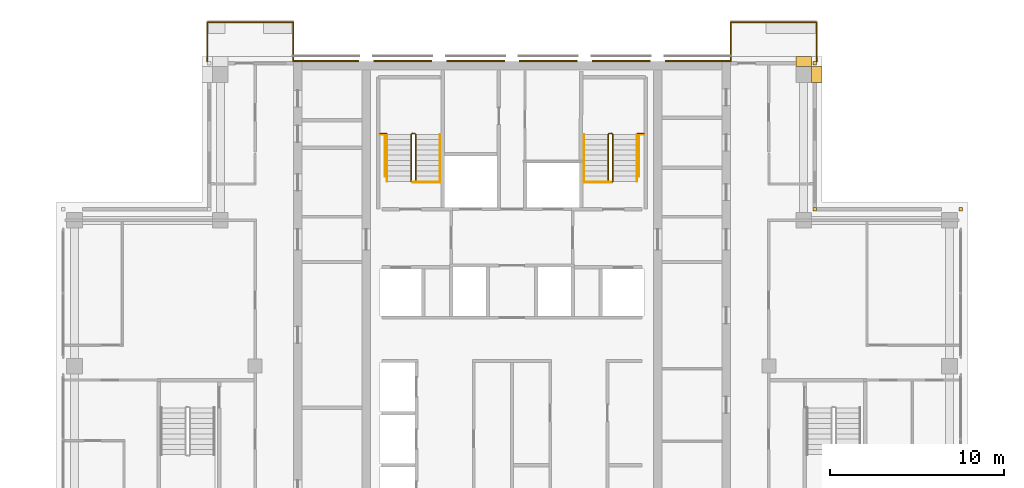
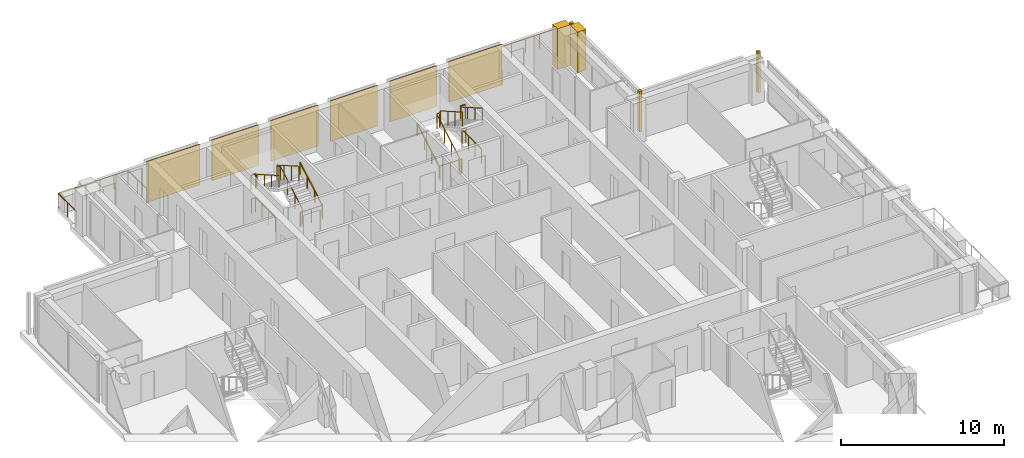
# One storey, part 17 of 17: 14 railings, 11 coverings.
"""IFC4 building model written with IfcOpenShell, lengths in metres."""

import ifcopenshell
import ifcopenshell.guid

model = None  # the IFC model being written
_history = None  # IfcOwnerHistory: only IFC2X3 demands one
_inside = {}  # id of a spatial element -> (the spatial element, [elements in it])
_under = {}  # id of a project, library or spatial element -> (it, [spatial elements below it])
_declared = {}  # id of a project -> (the project, [libraries it declares])
_typed = {}  # id of a type object -> (the type object, [elements of that type])
_made_of = {}  # id of a material, layer set ... -> (it, [elements and type objects made of it])


def new_model(schema):
    """Start an empty IFC model of exactly this schema.

    Asked for "IFC4X3", IfcOpenShell would pick the latest addendum, in which some entities
    have other attributes; the version numbers below select the first issue.
    IFC2X3 requires an IfcOwnerHistory on every rooted entity: one is made here for all.
    """
    global model, _history
    if schema == "IFC4X3":
        model = ifcopenshell.file(schema_version=(4, 3, 0, 0))
    else:
        model = ifcopenshell.file(schema=schema)
    _inside.clear()
    _under.clear()
    _declared.clear()
    _typed.clear()
    _made_of.clear()
    _history = None
    if model.schema == "IFC2X3":
        org = make("IfcOrganization", Name="unknown")
        user = make(
            "IfcPersonAndOrganization",
            ThePerson=make("IfcPerson", FamilyName="unknown"),
            TheOrganization=org,
        )
        app = make(
            "IfcApplication",
            ApplicationDeveloper=org,
            Version="unknown",
            ApplicationFullName="unknown",
            ApplicationIdentifier="unknown",
        )
        _history = make(
            "IfcOwnerHistory",
            OwningUser=user,
            OwningApplication=app,
            ChangeAction="ADDED",
            CreationDate=0,
        )
    return model


def make(cls, **values):
    """One entity of the class cls with the attributes given. An attribute that is None is left unset."""
    return model.create_entity(
        cls, **{name: value for name, value in values.items() if value is not None}
    )


def rooted(cls, **values):
    """An entity with a GlobalId (a new one), such as an element, a storey or a relation."""
    return make(cls, GlobalId=ifcopenshell.guid.new(), OwnerHistory=_history, **values)


def si_unit(unit_type, name, prefix=None):
    """IfcSIUnit, for example si_unit("LENGTHUNIT", "METRE", prefix="MILLI")."""
    return make("IfcSIUnit", UnitType=unit_type, Prefix=prefix, Name=name)


def assignment(units):
    """IfcUnitAssignment: the units of a project."""
    return None if units is None else make("IfcUnitAssignment", Units=units)


def point(xyz):
    """IfcCartesianPoint."""
    return None if xyz is None else make("IfcCartesianPoint", Coordinates=xyz)


def direction(xyz):
    """IfcDirection."""
    return None if xyz is None else make("IfcDirection", DirectionRatios=xyz)


def frame(location, z_axis=None, x_axis=None):
    """IfcAxis2Placement3D, a coordinate frame: its origin and axes. An axis left out is left unset."""
    return make(
        "IfcAxis2Placement3D",
        Location=point(location),
        Axis=direction(z_axis),
        RefDirection=direction(x_axis),
    )


def frame_2d(location, x_axis=None):
    """IfcAxis2Placement2D, a coordinate frame in the plane: its origin and x axis."""
    return make(
        "IfcAxis2Placement2D", Location=point(location), RefDirection=direction(x_axis)
    )


def origin():
    """The frame at (0, 0, 0) with its axes left unset."""
    return frame((0.0, 0.0, 0.0))


def origin_2d():
    """The frame at (0, 0) in the plane with its x axis left unset."""
    return frame_2d((0.0, 0.0))


def place(relative_to, where):
    """IfcLocalPlacement: puts the frame where relative to a parent placement (None: the world)."""
    return make(
        "IfcLocalPlacement", PlacementRelTo=relative_to, RelativePlacement=where
    )


def context(
    kind, dimensions, precision=None, world=None, true_north=None, identifier=None
):
    """IfcGeometricRepresentationContext, for example the 3D "Model" context."""
    return make(
        "IfcGeometricRepresentationContext",
        ContextIdentifier=identifier,
        ContextType=kind,
        CoordinateSpaceDimension=dimensions,
        Precision=precision,
        WorldCoordinateSystem=world,
        TrueNorth=true_north,
    )


def subcontext(parent, identifier, kind, view, scale=None):
    """IfcGeometricRepresentationSubContext, for example "Body" below "Model"."""
    return make(
        "IfcGeometricRepresentationSubContext",
        ContextIdentifier=identifier,
        ContextType=kind,
        ParentContext=parent,
        TargetScale=scale,
        TargetView=view,
    )


def project(units=None, contexts=None):
    """IfcProject with its units and contexts."""
    return rooted(
        "IfcProject",
        Name="project",
        RepresentationContexts=contexts,
        UnitsInContext=assignment(units),
    )


def spatial(cls, under=None, at=None, **own):
    """A site, building, storey or space (cls), placed at a placement, below another one or the project."""
    s = rooted(cls, ObjectPlacement=at, **own)
    if under is not None:
        _under.setdefault(under.id(), (under, []))[1].append(s)
    return s


def polyline(points):
    """IfcPolyline through the points."""
    return make("IfcPolyline", Points=[point(p) for p in points])


def profile(cls, at=None, kind="AREA", **sizes):
    """A parametric profile (cls). Its sizes go by their IFC names, for example OverallWidth=200.0."""
    return make(cls, ProfileType=kind, Position=at, **sizes)


def rectangle(**sizes):
    """IfcRectangleProfileDef."""
    return profile("IfcRectangleProfileDef", **sizes)


def outline(outer, holes=None, kind="AREA"):
    """IfcArbitraryClosedProfileDef: a profile drawn as a closed curve; with holes, ...WithVoids."""
    if holes is None:
        return make("IfcArbitraryClosedProfileDef", ProfileType=kind, OuterCurve=outer)
    return make(
        "IfcArbitraryProfileDefWithVoids",
        ProfileType=kind,
        OuterCurve=outer,
        InnerCurves=holes,
    )


def extrude(swept, where, along, depth):
    """IfcExtrudedAreaSolid: the profile swept, set in the frame where, extruded along a direction by depth."""
    return make(
        "IfcExtrudedAreaSolid",
        SweptArea=swept,
        Position=where,
        ExtrudedDirection=direction(along),
        Depth=depth,
    )


def shape(context_of_items, identifier, shape_type, items):
    """IfcShapeRepresentation: the items that make up one representation, for example the "Body"."""
    return make(
        "IfcShapeRepresentation",
        ContextOfItems=context_of_items,
        RepresentationIdentifier=identifier,
        RepresentationType=shape_type,
        Items=items,
    )


def material(Name=None, Category=None):
    """IfcMaterial."""
    return make("IfcMaterial", Name=Name, Category=Category)


def made_of(thing, what):
    """Note that an element or type object is made of a material, layer set ...; save() writes the relation."""
    if what is not None:
        _made_of.setdefault(what.id(), (what, []))[1].append(thing)
    return thing


def type_object(cls, material=None, **own):
    """A type object (cls), such as IfcWallType, which elements share."""
    return made_of(rooted(cls, **own), material)


def element(
    cls,
    number,
    at=None,
    inside=None,
    cuts=None,
    type_object=None,
    material=None,
    context=None,
    identifier="Body",
    shape_type=None,
    held_by="IfcProductDefinitionShape",
    body=None,
    shapes=None,
    **own,
):
    """One element of the class cls, such as IfcWall. Its Tag is "e" and its number.

    at: its placement. inside: the storey or other place that contains it. cuts: it is an
    opening in that element (IfcRelVoidsElement). A single representation is given by context,
    identifier, shape_type and body (its items); several are given by shapes. held_by: the class
    of the entity that holds the representations. save() writes the other relations.
    """
    e = rooted(cls, Tag="e%d" % number, ObjectPlacement=at, **own)
    if body is not None:
        shapes = [shape(context, identifier, shape_type, body)]
    if shapes is not None:
        e.Representation = make(held_by, Representations=shapes)
    if inside is not None:
        _inside.setdefault(inside.id(), (inside, []))[1].append(e)
    if cuts is not None:
        rooted(
            "IfcRelVoidsElement", RelatingBuildingElement=cuts, RelatedOpeningElement=e
        )
    if type_object is not None:
        _typed.setdefault(type_object.id(), (type_object, []))[1].append(e)
    return made_of(e, material)


def aggregate(whole, parts):
    """IfcRelAggregates: a whole, such as a stair, and the parts it consists of."""
    return rooted("IfcRelAggregates", RelatingObject=whole, RelatedObjects=parts)


def save(model, path):
    """Write the relations noted so far, then the file.

    IfcRelAggregates (storeys below a building ...), IfcRelContainedInSpatialStructure (elements
    in a storey), IfcRelDefinesByType, IfcRelAssociatesMaterial and IfcRelDeclares: one each for
    every whole, place, type object, material and project.
    """
    for whole, parts in _under.values():
        aggregate(whole, parts)
    for where, things in _inside.values():
        rooted(
            "IfcRelContainedInSpatialStructure",
            RelatedElements=things,
            RelatingStructure=where,
        )
    for kind, things in _typed.values():
        rooted("IfcRelDefinesByType", RelatedObjects=things, RelatingType=kind)
    for what, things in _made_of.values():
        rooted("IfcRelAssociatesMaterial", RelatedObjects=things, RelatingMaterial=what)
    for by, libraries in _declared.values():
        rooted("IfcRelDeclares", RelatingContext=by, RelatedDefinitions=libraries)
    model.write(path)


model = new_model("IFC4")

# Units and contexts
model_context = context("Model", 3, precision=1e-05, world=origin(), true_north=direction((0.0, 1.0)))
body_context = subcontext(model_context, "Body", "Model", "MODEL_VIEW")
ifc_project = project(units=[si_unit("LENGTHUNIT", "METRE"), si_unit("AREAUNIT", "SQUARE_METRE"), si_unit("VOLUMEUNIT", "CUBIC_METRE"), si_unit("PLANEANGLEUNIT", "RADIAN"), si_unit("MASSUNIT", "GRAM", prefix="KILO")], contexts=[model_context])

# Site, building, storey
site_placement = place(None, origin())
site = spatial("IfcSite", under=ifc_project, at=site_placement, CompositionType="ELEMENT")
building_placement = place(site_placement, origin())
building = spatial("IfcBuilding", under=site, at=building_placement, Name="Vermilion Ogive Tower", CompositionType="ELEMENT")
storey_placement = place(building_placement, frame((0.0, 0.0, 257.949951171875)))
storey = spatial("IfcBuildingStorey", under=building, at=storey_placement, Name="L68", CompositionType="ELEMENT", Elevation=257.949951171875)

# Railings
ifc_material_1 = material(Name="Stainless steel and glass", Category="steel")
railing_type_1 = type_object("IfcRailingType", Name="Balcony guard", PredefinedType="GUARDRAIL", material=ifc_material_1)
railing_1_placement = place(storey_placement, frame((17.550048828125, 21.75, -0.0400390625)))
element("IfcRailing", 1, at=railing_1_placement, inside=storey, type_object=railing_type_1, Name="Guard N101", PredefinedType="GUARDRAIL", context=body_context, shape_type="SweptSolid", body=[
    extrude(rectangle(XDim=0.048095703125, YDim=0.048095703125, at=origin_2d()), frame((0.0, 0.0, 1.076171875), z_axis=(0.0, 1.0, 0.0), x_axis=(-1.0, 0.0, 0.0)), (0.0, 0.0, 1.0), 2.270751953125),
    extrude(rectangle(XDim=0.048095703125, YDim=0.048095703125, at=origin_2d()), frame((0.0, 2.270751953125, 1.076171875), z_axis=(-1.0, 0.0, 0.0), x_axis=(0.0, -1.0, 0.0)), (0.0, 0.0, 1.0), 4.949951171875),
    extrude(rectangle(XDim=0.048095703125, YDim=0.048095703125, at=origin_2d()), frame((-4.949951171875, 2.270751953125, 1.076171875), z_axis=(0.0, -1.0, 0.0), x_axis=(1.0, 0.0, 0.0)), (0.0, 0.0, 1.0), 2.270751953125),
    extrude(rectangle(XDim=0.0419921875, YDim=0.0419921875, at=origin_2d()), origin(), (0.0, 0.0, 1.0), 1.052001953125),
    extrude(rectangle(XDim=0.0419921875, YDim=0.0419921875, at=origin_2d()), frame((0.0, 1.13525390625, 0.0)), (0.0, 0.0, 1.0), 1.052001953125),
    extrude(rectangle(XDim=0.0419921875, YDim=0.0419921875, at=origin_2d()), frame((0.0, 2.270751953125, 0.0)), (0.0, 0.0, 1.0), 1.052001953125),
    extrude(rectangle(XDim=0.0419921875, YDim=0.0419921875, at=origin_2d()), frame((-0.989990234375, 2.270751953125, 0.0)), (0.0, 0.0, 1.0), 1.052001953125),
    extrude(rectangle(XDim=0.0419921875, YDim=0.0419921875, at=origin_2d()), frame((-1.97998046875, 2.270751953125, 0.0)), (0.0, 0.0, 1.0), 1.052001953125),
    extrude(rectangle(XDim=0.0419921875, YDim=0.0419921875, at=origin_2d()), frame((-2.969970703125, 2.270751953125, 0.0)), (0.0, 0.0, 1.0), 1.052001953125),
    extrude(rectangle(XDim=0.0419921875, YDim=0.0419921875, at=origin_2d()), frame((-3.9599609375, 2.270751953125, 0.0)), (0.0, 0.0, 1.0), 1.052001953125),
    extrude(rectangle(XDim=0.0419921875, YDim=0.0419921875, at=origin_2d()), frame((-4.949951171875, 2.270751953125, 0.0)), (0.0, 0.0, 1.0), 1.052001953125),
    extrude(rectangle(XDim=0.0419921875, YDim=0.0419921875, at=origin_2d()), frame((-4.949951171875, 1.13525390625, 0.0)), (0.0, 0.0, 1.0), 1.052001953125),
    extrude(rectangle(XDim=0.0419921875, YDim=0.0419921875, at=origin_2d()), frame((-4.949951171875, 0.0, 0.0)), (0.0, 0.0, 1.0), 1.052001953125),
])
railing_2_placement = place(storey_placement, frame((-12.60009765625, 21.75, -0.0400390625)))
element("IfcRailing", 2, at=railing_2_placement, inside=storey, type_object=railing_type_1, Name="Guard N201", PredefinedType="GUARDRAIL", context=body_context, shape_type="SweptSolid", body=[
    extrude(rectangle(XDim=0.048095703125, YDim=0.048095703125, at=origin_2d()), frame((0.0, 0.0, 1.076171875), z_axis=(0.0, 1.0, 0.0), x_axis=(-1.0, 0.0, 0.0)), (0.0, 0.0, 1.0), 2.270751953125),
    extrude(rectangle(XDim=0.048095703125, YDim=0.048095703125, at=origin_2d()), frame((0.0, 2.270751953125, 1.076171875), z_axis=(-1.0, 0.0, 0.0), x_axis=(0.0, -1.0, 0.0)), (0.0, 0.0, 1.0), 4.949951171875),
    extrude(rectangle(XDim=0.048095703125, YDim=0.048095703125, at=origin_2d()), frame((-4.949951171875, 2.270751953125, 1.076171875), z_axis=(0.0, -1.0, 0.0), x_axis=(1.0, 0.0, 0.0)), (0.0, 0.0, 1.0), 2.270751953125),
    extrude(rectangle(XDim=0.0419921875, YDim=0.0419921875, at=origin_2d()), origin(), (0.0, 0.0, 1.0), 1.052001953125),
    extrude(rectangle(XDim=0.0419921875, YDim=0.0419921875, at=origin_2d()), frame((0.0, 1.13525390625, 0.0)), (0.0, 0.0, 1.0), 1.052001953125),
    extrude(rectangle(XDim=0.0419921875, YDim=0.0419921875, at=origin_2d()), frame((0.0, 2.270751953125, 0.0)), (0.0, 0.0, 1.0), 1.052001953125),
    extrude(rectangle(XDim=0.0419921875, YDim=0.0419921875, at=origin_2d()), frame((-0.989990234375, 2.270751953125, 0.0)), (0.0, 0.0, 1.0), 1.052001953125),
    extrude(rectangle(XDim=0.0419921875, YDim=0.0419921875, at=origin_2d()), frame((-1.97998046875, 2.270751953125, 0.0)), (0.0, 0.0, 1.0), 1.052001953125),
    extrude(rectangle(XDim=0.0419921875, YDim=0.0419921875, at=origin_2d()), frame((-2.969970703125, 2.270751953125, 0.0)), (0.0, 0.0, 1.0), 1.052001953125),
    extrude(rectangle(XDim=0.0419921875, YDim=0.0419921875, at=origin_2d()), frame((-3.9599609375, 2.270751953125, 0.0)), (0.0, 0.0, 1.0), 1.052001953125),
    extrude(rectangle(XDim=0.0419921875, YDim=0.0419921875, at=origin_2d()), frame((-4.949951171875, 2.270751953125, 0.0)), (0.0, 0.0, 1.0), 1.052001953125),
    extrude(rectangle(XDim=0.0419921875, YDim=0.0419921875, at=origin_2d()), frame((-4.949951171875, 1.13525390625, 0.0)), (0.0, 0.0, 1.0), 1.052001953125),
    extrude(rectangle(XDim=0.0419921875, YDim=0.0419921875, at=origin_2d()), frame((-4.949951171875, 0.0, 0.0)), (0.0, 0.0, 1.0), 1.052001953125),
])
ifc_material_2 = material(Name="Steel S355 painted", Category="steel")
railing_type_2 = type_object("IfcRailingType", Name="Stair guard 1100", PredefinedType="GUARDRAIL", material=ifc_material_2)
railing_3_placement = place(storey_placement, frame((-5.75, 14.800048828125, 0.0)))
element("IfcRailing", 3, at=railing_3_placement, inside=storey, type_object=railing_type_2, Name="L68 ST1 stair guard 4", PredefinedType="GUARDRAIL", context=body_context, shape_type="SweptSolid", body=[
    extrude(rectangle(XDim=0.048095703125, YDim=0.048095703125, at=origin_2d()), frame((0.0, 0.0, 1.076171875), z_axis=(1.0, 0.0, 0.0), x_axis=(0.0, 1.0, 0.0)), (0.0, 0.0, 1.0), 0.14990234375),
    extrude(rectangle(XDim=0.048095703125, YDim=0.048095703125, at=origin_2d()), frame((0.14990234375, 0.0, 1.076171875), z_axis=(0.268277960024, 0.268277960024, 0.925231793839), x_axis=(-0.707106781187, 0.707106781187, 0.0)), (0.0, 0.0, 1.0), 0.1865234375),
    extrude(rectangle(XDim=0.048095703125, YDim=0.048095703125, at=origin_2d()), frame((0.199951171875, 0.050048828125, 1.24853515625), z_axis=(0.0, 0.866903762492, 0.498475542607), x_axis=(-1.0, 0.0, 0.0)), (0.0, 0.0, 1.0), 3.114501953125),
    extrude(rectangle(XDim=0.048095703125, YDim=0.048095703125, at=origin_2d()), frame((0.199951171875, 2.75, 2.80126953125), z_axis=(-0.707106781187, 0.707106781187, 0.0), x_axis=(-0.707106781187, -0.707106781187, 0.0)), (0.0, 0.0, 1.0), 0.07080078125),
    extrude(rectangle(XDim=0.048095703125, YDim=0.048095703125, at=origin_2d()), frame((0.14990234375, 2.800048828125, 2.80126953125), z_axis=(-1.0, 0.0, 0.0), x_axis=(0.0, -1.0, 0.0)), (0.0, 0.0, 1.0), 0.14990234375),
    extrude(rectangle(XDim=0.048095703125, YDim=0.048095703125, at=origin_2d()), frame((0.0, 2.800048828125, 2.80126953125), z_axis=(-0.268603158521, -0.268603158521, 0.925043072762), x_axis=(0.707106781187, -0.707106781187, 0.0)), (0.0, 0.0, 1.0), 0.186279296875),
    extrude(rectangle(XDim=0.048095703125, YDim=0.048095703125, at=origin_2d()), frame((-0.050048828125, 2.75, 2.9736328125), z_axis=(0.0, -0.866903762492, 0.498475542607), x_axis=(1.0, 0.0, 0.0)), (0.0, 0.0, 1.0), 3.114501953125),
    extrude(rectangle(XDim=0.0419921875, YDim=0.0419921875, at=origin_2d()), origin(), (0.0, 0.0, 1.0), 1.052001953125),
    extrude(rectangle(XDim=0.0419921875, YDim=0.0419921875, at=origin_2d()), frame((0.14990234375, 0.0, 0.0)), (0.0, 0.0, 1.0), 1.052001953125),
    extrude(rectangle(XDim=0.0419921875, YDim=0.0419921875, at=origin_2d()), frame((0.199951171875, 0.050048828125, 0.172607421875)), (0.0, 0.0, 1.0), 1.052001953125),
    extrude(rectangle(XDim=0.0419921875, YDim=0.0419921875, at=origin_2d()), frame((0.199951171875, 0.949951171875, 0.690185546875)), (0.0, 0.0, 1.0), 1.052001953125),
    extrude(rectangle(XDim=0.0419921875, YDim=0.0419921875, at=origin_2d()), frame((0.199951171875, 1.85009765625, 1.20751953125)), (0.0, 0.0, 1.0), 1.052001953125),
    extrude(rectangle(XDim=0.0419921875, YDim=0.0419921875, at=origin_2d()), frame((0.199951171875, 2.75, 1.72509765625)), (0.0, 0.0, 1.0), 1.052001953125),
    extrude(rectangle(XDim=0.0419921875, YDim=0.0419921875, at=origin_2d()), frame((0.14990234375, 2.800048828125, 1.72509765625)), (0.0, 0.0, 1.0), 1.052001953125),
    extrude(rectangle(XDim=0.0419921875, YDim=0.0419921875, at=origin_2d()), frame((0.0, 2.800048828125, 1.72509765625)), (0.0, 0.0, 1.0), 1.052001953125),
    extrude(rectangle(XDim=0.0419921875, YDim=0.0419921875, at=origin_2d()), frame((-0.050048828125, 2.75, 1.8974609375)), (0.0, 0.0, 1.0), 1.052001953125),
    extrude(rectangle(XDim=0.0419921875, YDim=0.0419921875, at=origin_2d()), frame((-0.050048828125, 1.85009765625, 2.4150390625)), (0.0, 0.0, 1.0), 1.052001953125),
    extrude(rectangle(XDim=0.0419921875, YDim=0.0419921875, at=origin_2d()), frame((-0.050048828125, 0.949951171875, 2.932373046875)), (0.0, 0.0, 1.0), 1.052001953125),
    extrude(rectangle(XDim=0.0419921875, YDim=0.0419921875, at=origin_2d()), frame((-0.050048828125, 0.050048828125, 3.449951171875)), (0.0, 0.0, 1.0), 1.052001953125),
])
railing_4_placement = place(storey_placement, frame((5.75, 14.800048828125, 0.0)))
element("IfcRailing", 4, at=railing_4_placement, inside=storey, type_object=railing_type_2, Name="L68 ST2 stair guard 4", PredefinedType="GUARDRAIL", context=body_context, shape_type="SweptSolid", body=[
    extrude(rectangle(XDim=0.048095703125, YDim=0.048095703125, at=origin_2d()), frame((0.0, 0.0, 1.076171875), z_axis=(-1.0, 0.0, 0.0), x_axis=(0.0, -1.0, 0.0)), (0.0, 0.0, 1.0), 0.14990234375),
    extrude(rectangle(XDim=0.048095703125, YDim=0.048095703125, at=origin_2d()), frame((-0.14990234375, 0.0, 1.076171875), z_axis=(-0.268277960024, 0.268277960024, 0.925231793839), x_axis=(-0.707106781187, -0.707106781187, 0.0)), (0.0, 0.0, 1.0), 0.1865234375),
    extrude(rectangle(XDim=0.048095703125, YDim=0.048095703125, at=origin_2d()), frame((-0.199951171875, 0.050048828125, 1.24853515625), z_axis=(0.0, 0.866903762492, 0.498475542607), x_axis=(-1.0, 0.0, 0.0)), (0.0, 0.0, 1.0), 3.114501953125),
    extrude(rectangle(XDim=0.048095703125, YDim=0.048095703125, at=origin_2d()), frame((-0.199951171875, 2.75, 2.80126953125), z_axis=(0.707106781187, 0.707106781187, 0.0), x_axis=(-0.707106781187, 0.707106781187, 0.0)), (0.0, 0.0, 1.0), 0.07080078125),
    extrude(rectangle(XDim=0.048095703125, YDim=0.048095703125, at=origin_2d()), frame((-0.14990234375, 2.800048828125, 2.80126953125), z_axis=(1.0, 0.0, 0.0), x_axis=(0.0, 1.0, 0.0)), (0.0, 0.0, 1.0), 0.14990234375),
    extrude(rectangle(XDim=0.048095703125, YDim=0.048095703125, at=origin_2d()), frame((0.0, 2.800048828125, 2.80126953125), z_axis=(0.268603158521, -0.268603158521, 0.925043072762), x_axis=(0.707106781187, 0.707106781187, 0.0)), (0.0, 0.0, 1.0), 0.186279296875),
    extrude(rectangle(XDim=0.048095703125, YDim=0.048095703125, at=origin_2d()), frame((0.050048828125, 2.75, 2.9736328125), z_axis=(0.0, -0.866903762492, 0.498475542607), x_axis=(1.0, 0.0, 0.0)), (0.0, 0.0, 1.0), 3.114501953125),
    extrude(rectangle(XDim=0.0419921875, YDim=0.0419921875, at=origin_2d()), origin(), (0.0, 0.0, 1.0), 1.052001953125),
    extrude(rectangle(XDim=0.0419921875, YDim=0.0419921875, at=origin_2d()), frame((-0.14990234375, 0.0, 0.0)), (0.0, 0.0, 1.0), 1.052001953125),
    extrude(rectangle(XDim=0.0419921875, YDim=0.0419921875, at=origin_2d()), frame((-0.199951171875, 0.050048828125, 0.172607421875)), (0.0, 0.0, 1.0), 1.052001953125),
    extrude(rectangle(XDim=0.0419921875, YDim=0.0419921875, at=origin_2d()), frame((-0.199951171875, 0.949951171875, 0.690185546875)), (0.0, 0.0, 1.0), 1.052001953125),
    extrude(rectangle(XDim=0.0419921875, YDim=0.0419921875, at=origin_2d()), frame((-0.199951171875, 1.85009765625, 1.20751953125)), (0.0, 0.0, 1.0), 1.052001953125),
    extrude(rectangle(XDim=0.0419921875, YDim=0.0419921875, at=origin_2d()), frame((-0.199951171875, 2.75, 1.72509765625)), (0.0, 0.0, 1.0), 1.052001953125),
    extrude(rectangle(XDim=0.0419921875, YDim=0.0419921875, at=origin_2d()), frame((-0.14990234375, 2.800048828125, 1.72509765625)), (0.0, 0.0, 1.0), 1.052001953125),
    extrude(rectangle(XDim=0.0419921875, YDim=0.0419921875, at=origin_2d()), frame((0.0, 2.800048828125, 1.72509765625)), (0.0, 0.0, 1.0), 1.052001953125),
    extrude(rectangle(XDim=0.0419921875, YDim=0.0419921875, at=origin_2d()), frame((0.050048828125, 2.75, 1.8974609375)), (0.0, 0.0, 1.0), 1.052001953125),
    extrude(rectangle(XDim=0.0419921875, YDim=0.0419921875, at=origin_2d()), frame((0.050048828125, 1.85009765625, 2.4150390625)), (0.0, 0.0, 1.0), 1.052001953125),
    extrude(rectangle(XDim=0.0419921875, YDim=0.0419921875, at=origin_2d()), frame((0.050048828125, 0.949951171875, 2.932373046875)), (0.0, 0.0, 1.0), 1.052001953125),
    extrude(rectangle(XDim=0.0419921875, YDim=0.0419921875, at=origin_2d()), frame((0.050048828125, 0.050048828125, 3.449951171875)), (0.0, 0.0, 1.0), 1.052001953125),
])
for number, where, name in (
    (5, (-7.60009765625, 17.60009765625, 1.72509765625), "L68 landing guard"),
    (6, (7.25, 17.60009765625, 1.72509765625), "L68 landing guard"),
):
    element("IfcRailing", number, at=place(storey_placement, frame(where)), inside=storey, type_object=railing_type_2, Name=name, PredefinedType="GUARDRAIL", context=body_context, shape_type="SweptSolid", body=[
        extrude(rectangle(XDim=0.048095703125, YDim=0.048095703125, at=origin_2d()), frame((0.0, 0.0, 1.076171875), z_axis=(1.0, 0.0, 0.0), x_axis=(0.0, 1.0, 0.0)), (0.0, 0.0, 1.0), 0.35009765625),
        extrude(rectangle(XDim=0.0419921875, YDim=0.0419921875, at=origin_2d()), origin(), (0.0, 0.0, 1.0), 1.052001953125),
        extrude(rectangle(XDim=0.0419921875, YDim=0.0419921875, at=origin_2d()), frame((0.35009765625, 0.0, 0.0)), (0.0, 0.0, 1.0), 1.052001953125),
    ])
railing_5_placement = place(storey_placement, frame((-4.159912109375, 14.7900390625, 0.0)))
element("IfcRailing", 7, at=railing_5_placement, inside=storey, type_object=railing_type_2, Name="L68 stair opening guard", PredefinedType="GUARDRAIL", context=body_context, shape_type="SweptSolid", body=[
    extrude(rectangle(XDim=0.048095703125, YDim=0.048095703125, at=origin_2d()), frame((0.0, 0.0, 1.076171875), z_axis=(-1.0, 0.0, 0.0), x_axis=(0.0, -1.0, 0.0)), (0.0, 0.0, 1.0), 1.5400390625),
    extrude(rectangle(XDim=0.0419921875, YDim=0.0419921875, at=origin_2d()), origin(), (0.0, 0.0, 1.0), 1.052001953125),
    extrude(rectangle(XDim=0.0419921875, YDim=0.0419921875, at=origin_2d()), frame((-0.77001953125, 0.0, 0.0)), (0.0, 0.0, 1.0), 1.052001953125),
    extrude(rectangle(XDim=0.0419921875, YDim=0.0419921875, at=origin_2d()), frame((-1.5400390625, 0.0, 0.0)), (0.0, 0.0, 1.0), 1.052001953125),
])
railing_6_placement = place(storey_placement, frame((-7.3095703125, 15.11865234375, 0.0)))
element("IfcRailing", 8, at=railing_6_placement, inside=storey, type_object=railing_type_2, Name="L68 stair opening guard", PredefinedType="GUARDRAIL", context=body_context, shape_type="SweptSolid", body=[
    extrude(rectangle(XDim=0.048095703125, YDim=0.048095703125, at=origin_2d()), frame((0.0, 0.0, 1.076171875), z_axis=(0.0, 1.0, 0.0), x_axis=(-1.0, 0.0, 0.0)), (0.0, 0.0, 1.0), 2.42431640625),
    extrude(rectangle(XDim=0.048095703125, YDim=0.048095703125, at=origin_2d()), frame((0.0, 2.42431640625, 1.076171875), z_axis=(-1.0, 0.0, 0.0), x_axis=(0.0, -1.0, 0.0)), (0.0, 0.0, 1.0), 0.2900390625),
    extrude(rectangle(XDim=0.0419921875, YDim=0.0419921875, at=origin_2d()), origin(), (0.0, 0.0, 1.0), 1.052001953125),
    extrude(rectangle(XDim=0.0419921875, YDim=0.0419921875, at=origin_2d()), frame((0.0, 0.80810546875, 0.0)), (0.0, 0.0, 1.0), 1.052001953125),
    extrude(rectangle(XDim=0.0419921875, YDim=0.0419921875, at=origin_2d()), frame((0.0, 1.6162109375, 0.0)), (0.0, 0.0, 1.0), 1.052001953125),
    extrude(rectangle(XDim=0.0419921875, YDim=0.0419921875, at=origin_2d()), frame((0.0, 2.42431640625, 0.0)), (0.0, 0.0, 1.0), 1.052001953125),
    extrude(rectangle(XDim=0.0419921875, YDim=0.0419921875, at=origin_2d()), frame((-0.2900390625, 2.42431640625, 0.0)), (0.0, 0.0, 1.0), 1.052001953125),
])
railing_7_placement = place(storey_placement, frame((7.599609375, 17.54296875, 0.0)))
element("IfcRailing", 9, at=railing_7_placement, inside=storey, type_object=railing_type_2, Name="L68 stair opening guard", PredefinedType="GUARDRAIL", context=body_context, shape_type="SweptSolid", body=[
    extrude(rectangle(XDim=0.048095703125, YDim=0.048095703125, at=origin_2d()), frame((0.0, 0.0, 1.076171875), z_axis=(-1.0, 0.0, 0.0), x_axis=(0.0, -1.0, 0.0)), (0.0, 0.0, 1.0), 0.2900390625),
    extrude(rectangle(XDim=0.048095703125, YDim=0.048095703125, at=origin_2d()), frame((-0.2900390625, 0.0, 1.076171875), z_axis=(0.0, -1.0, 0.0), x_axis=(1.0, 0.0, 0.0)), (0.0, 0.0, 1.0), 2.42431640625),
    extrude(rectangle(XDim=0.0419921875, YDim=0.0419921875, at=origin_2d()), origin(), (0.0, 0.0, 1.0), 1.052001953125),
    extrude(rectangle(XDim=0.0419921875, YDim=0.0419921875, at=origin_2d()), frame((-0.2900390625, 0.0, 0.0)), (0.0, 0.0, 1.0), 1.052001953125),
    extrude(rectangle(XDim=0.0419921875, YDim=0.0419921875, at=origin_2d()), frame((-0.2900390625, -0.80810546875, 0.0)), (0.0, 0.0, 1.0), 1.052001953125),
    extrude(rectangle(XDim=0.0419921875, YDim=0.0419921875, at=origin_2d()), frame((-0.2900390625, -1.6162109375, 0.0)), (0.0, 0.0, 1.0), 1.052001953125),
    extrude(rectangle(XDim=0.0419921875, YDim=0.0419921875, at=origin_2d()), frame((-0.2900390625, -2.42431640625, 0.0)), (0.0, 0.0, 1.0), 1.052001953125),
])
railing_8_placement = place(storey_placement, frame((5.699951171875, 14.7900390625, 0.0)))
element("IfcRailing", 10, at=railing_8_placement, inside=storey, type_object=railing_type_2, Name="L68 stair opening guard", PredefinedType="GUARDRAIL", context=body_context, shape_type="SweptSolid", body=[
    extrude(rectangle(XDim=0.048095703125, YDim=0.048095703125, at=origin_2d()), frame((0.0, 0.0, 1.076171875), z_axis=(-1.0, 0.0, 0.0), x_axis=(0.0, -1.0, 0.0)), (0.0, 0.0, 1.0), 1.5400390625),
    extrude(rectangle(XDim=0.0419921875, YDim=0.0419921875, at=origin_2d()), origin(), (0.0, 0.0, 1.0), 1.052001953125),
    extrude(rectangle(XDim=0.0419921875, YDim=0.0419921875, at=origin_2d()), frame((-0.77001953125, 0.0, 0.0)), (0.0, 0.0, 1.0), 1.052001953125),
    extrude(rectangle(XDim=0.0419921875, YDim=0.0419921875, at=origin_2d()), frame((-1.5400390625, 0.0, 0.0)), (0.0, 0.0, 1.0), 1.052001953125),
])
ifc_material_3 = material(Name="Stainless steel", Category="steel")
railing_type_3 = type_object("IfcRailingType", Name="Stair handrail 900", PredefinedType="HANDRAIL", material=ifc_material_3)
railing_9_placement = place(storey_placement, frame((-4.14990234375, 14.85009765625, 0.172607421875)))
element("IfcRailing", 11, at=railing_9_placement, inside=storey, type_object=railing_type_3, Name="L68 ST1 stair handrail 1", PredefinedType="HANDRAIL", context=body_context, shape_type="SweptSolid", body=[
    extrude(rectangle(XDim=0.048095703125, YDim=0.048095703125, at=origin_2d()), frame((0.0, 0.0, 0.8759765625), z_axis=(0.0, 0.866903762492, 0.498475542607), x_axis=(-1.0, 0.0, 0.0)), (0.0, 0.0, 1.0), 3.114501953125),
    extrude(rectangle(XDim=0.0419921875, YDim=0.0419921875, at=origin_2d()), origin(), (0.0, 0.0, 1.0), 0.851806640625),
    extrude(rectangle(XDim=0.0419921875, YDim=0.0419921875, at=origin_2d()), frame((0.0, 0.89990234375, 0.517578125)), (0.0, 0.0, 1.0), 0.851806640625),
    extrude(rectangle(XDim=0.0419921875, YDim=0.0419921875, at=origin_2d()), frame((0.0, 1.800048828125, 1.034912109375)), (0.0, 0.0, 1.0), 0.851806640625),
    extrude(rectangle(XDim=0.0419921875, YDim=0.0419921875, at=origin_2d()), frame((0.0, 2.699951171875, 1.552490234375)), (0.0, 0.0, 1.0), 0.851806640625),
])
railing_10_placement = place(storey_placement, frame((-7.199951171875, 17.550048828125, 1.8974609375)))
element("IfcRailing", 12, at=railing_10_placement, inside=storey, type_object=railing_type_3, Name="L68 ST1 stair handrail 2", PredefinedType="HANDRAIL", context=body_context, shape_type="SweptSolid", body=[
    extrude(rectangle(XDim=0.048095703125, YDim=0.048095703125, at=origin_2d()), frame((0.0, 0.0, 0.8759765625), z_axis=(0.0, -0.866903762492, 0.498475542607), x_axis=(1.0, 0.0, 0.0)), (0.0, 0.0, 1.0), 3.114501953125),
    extrude(rectangle(XDim=0.0419921875, YDim=0.0419921875, at=origin_2d()), origin(), (0.0, 0.0, 1.0), 0.851806640625),
    extrude(rectangle(XDim=0.0419921875, YDim=0.0419921875, at=origin_2d()), frame((0.0, -0.89990234375, 0.517578125)), (0.0, 0.0, 1.0), 0.851806640625),
    extrude(rectangle(XDim=0.0419921875, YDim=0.0419921875, at=origin_2d()), frame((0.0, -1.800048828125, 1.034912109375)), (0.0, 0.0, 1.0), 0.851806640625),
    extrude(rectangle(XDim=0.0419921875, YDim=0.0419921875, at=origin_2d()), frame((0.0, -2.699951171875, 1.552490234375)), (0.0, 0.0, 1.0), 0.851806640625),
])
railing_11_placement = place(storey_placement, frame((4.14990234375, 14.85009765625, 0.172607421875)))
element("IfcRailing", 13, at=railing_11_placement, inside=storey, type_object=railing_type_3, Name="L68 ST2 stair handrail 1", PredefinedType="HANDRAIL", context=body_context, shape_type="SweptSolid", body=[
    extrude(rectangle(XDim=0.048095703125, YDim=0.048095703125, at=origin_2d()), frame((0.0, 0.0, 0.8759765625), z_axis=(0.0, 0.866903762492, 0.498475542607), x_axis=(-1.0, 0.0, 0.0)), (0.0, 0.0, 1.0), 3.114501953125),
    extrude(rectangle(XDim=0.0419921875, YDim=0.0419921875, at=origin_2d()), origin(), (0.0, 0.0, 1.0), 0.851806640625),
    extrude(rectangle(XDim=0.0419921875, YDim=0.0419921875, at=origin_2d()), frame((0.0, 0.89990234375, 0.517578125)), (0.0, 0.0, 1.0), 0.851806640625),
    extrude(rectangle(XDim=0.0419921875, YDim=0.0419921875, at=origin_2d()), frame((0.0, 1.800048828125, 1.034912109375)), (0.0, 0.0, 1.0), 0.851806640625),
    extrude(rectangle(XDim=0.0419921875, YDim=0.0419921875, at=origin_2d()), frame((0.0, 2.699951171875, 1.552490234375)), (0.0, 0.0, 1.0), 0.851806640625),
])
railing_12_placement = place(storey_placement, frame((7.199951171875, 17.550048828125, 1.8974609375)))
element("IfcRailing", 14, at=railing_12_placement, inside=storey, type_object=railing_type_3, Name="L68 ST2 stair handrail 2", PredefinedType="HANDRAIL", context=body_context, shape_type="SweptSolid", body=[
    extrude(rectangle(XDim=0.048095703125, YDim=0.048095703125, at=origin_2d()), frame((0.0, 0.0, 0.8759765625), z_axis=(0.0, -0.866903762492, 0.498475542607), x_axis=(1.0, 0.0, 0.0)), (0.0, 0.0, 1.0), 3.114501953125),
    extrude(rectangle(XDim=0.0419921875, YDim=0.0419921875, at=origin_2d()), origin(), (0.0, 0.0, 1.0), 0.851806640625),
    extrude(rectangle(XDim=0.0419921875, YDim=0.0419921875, at=origin_2d()), frame((0.0, -0.89990234375, 0.517578125)), (0.0, 0.0, 1.0), 0.851806640625),
    extrude(rectangle(XDim=0.0419921875, YDim=0.0419921875, at=origin_2d()), frame((0.0, -1.800048828125, 1.034912109375)), (0.0, 0.0, 1.0), 0.851806640625),
    extrude(rectangle(XDim=0.0419921875, YDim=0.0419921875, at=origin_2d()), frame((0.0, -2.699951171875, 1.552490234375)), (0.0, 0.0, 1.0), 0.851806640625),
])

# Coverings
ifc_material_4 = material(Name="Stone cladding", Category="masonry")
covering_type_1 = type_object("IfcCoveringType", Name="Stone cladding panel", PredefinedType="CLADDING", material=ifc_material_4)
covering_1_placement = place(storey_placement, origin())
element("IfcCovering", 15, at=covering_1_placement, inside=storey, type_object=covering_type_1, Name="Stone cladding panel N1", PredefinedType="CLADDING", context=body_context, shape_type="SweptSolid", body=[
    extrude(outline(polyline([(-12.590087890625, 21.75), (-8.830078125, 21.75), (-8.830078125, 21.81005859375), (-12.590087890625, 21.81005859375), (-12.590087890625, 21.75)])), origin(), (0.0, 0.0, 1.0), 3.050048828125),
])
covering_2_placement = place(storey_placement, origin())
element("IfcCovering", 16, at=covering_2_placement, inside=storey, type_object=covering_type_1, Name="Stone cladding panel N2", PredefinedType="CLADDING", context=body_context, shape_type="SweptSolid", body=[
    extrude(outline(polyline([(-7.969970703125, 21.75), (-4.6298828125, 21.75), (-4.6298828125, 21.81005859375), (-7.969970703125, 21.81005859375), (-7.969970703125, 21.75)])), origin(), (0.0, 0.0, 1.0), 3.050048828125),
])
covering_3_placement = place(storey_placement, origin())
element("IfcCovering", 17, at=covering_3_placement, inside=storey, type_object=covering_type_1, Name="Stone cladding panel N3", PredefinedType="CLADDING", context=body_context, shape_type="SweptSolid", body=[
    extrude(outline(polyline([(-3.77001953125, 21.75), (-0.429931640625, 21.75), (-0.429931640625, 21.81005859375), (-3.77001953125, 21.81005859375), (-3.77001953125, 21.75)])), origin(), (0.0, 0.0, 1.0), 3.050048828125),
])
covering_4_placement = place(storey_placement, origin())
element("IfcCovering", 18, at=covering_4_placement, inside=storey, type_object=covering_type_1, Name="Stone cladding panel N4", PredefinedType="CLADDING", context=body_context, shape_type="SweptSolid", body=[
    extrude(outline(polyline([(0.429931640625, 21.75), (3.77001953125, 21.75), (3.77001953125, 21.81005859375), (0.429931640625, 21.81005859375), (0.429931640625, 21.75)])), origin(), (0.0, 0.0, 1.0), 3.050048828125),
])
covering_5_placement = place(storey_placement, origin())
element("IfcCovering", 19, at=covering_5_placement, inside=storey, type_object=covering_type_1, Name="Stone cladding panel N5", PredefinedType="CLADDING", context=body_context, shape_type="SweptSolid", body=[
    extrude(outline(polyline([(4.6298828125, 21.75), (7.969970703125, 21.75), (7.969970703125, 21.81005859375), (4.6298828125, 21.81005859375), (4.6298828125, 21.75)])), origin(), (0.0, 0.0, 1.0), 3.050048828125),
])
covering_6_placement = place(storey_placement, origin())
element("IfcCovering", 20, at=covering_6_placement, inside=storey, type_object=covering_type_1, Name="Stone cladding panel N6", PredefinedType="CLADDING", context=body_context, shape_type="SweptSolid", body=[
    extrude(outline(polyline([(8.830078125, 21.75), (12.590087890625, 21.75), (12.590087890625, 21.81005859375), (8.830078125, 21.81005859375), (8.830078125, 21.75)])), origin(), (0.0, 0.0, 1.0), 3.050048828125),
])
ifc_material_5 = material(Name="Stone cladding", Category="masonry")
covering_type_2 = type_object("IfcCoveringType", Name="Stone pier", PredefinedType="CLADDING", material=ifc_material_5)
covering_7_placement = place(storey_placement, origin())
element("IfcCovering", 21, at=covering_7_placement, inside=storey, type_object=covering_type_2, Name="Stone corner pier EE1", PredefinedType="CLADDING", context=body_context, shape_type="SweptSolid", body=[
    extrude(outline(polyline([(25.75, 13.14990234375), (25.75, 13.35009765625), (25.949951171875, 13.35009765625), (25.949951171875, 13.14990234375), (25.75, 13.14990234375)])), origin(), (0.0, 0.0, 1.0), 3.050048828125),
])
covering_8_placement = place(storey_placement, origin())
element("IfcCovering", 22, at=covering_8_placement, inside=storey, type_object=covering_type_2, Name="Stone corner pier X3E1", PredefinedType="CLADDING", context=body_context, shape_type="SweptSolid", body=[
    extrude(outline(polyline([(17.35009765625, 13.14990234375), (17.35009765625, 13.35009765625), (17.550048828125, 13.35009765625), (17.550048828125, 13.14990234375), (17.35009765625, 13.14990234375)])), origin(), (0.0, 0.0, 1.0), 3.050048828125),
])
covering_9_placement = place(storey_placement, origin())
element("IfcCovering", 23, at=covering_9_placement, inside=storey, type_object=covering_type_2, Name="Stone corner pier X4E1", PredefinedType="CLADDING", context=body_context, shape_type="SweptSolid", body=[
    extrude(outline(polyline([(17.35009765625, 21.550048828125), (17.35009765625, 21.75), (17.550048828125, 21.75), (17.550048828125, 21.550048828125), (17.35009765625, 21.550048828125)])), origin(), (0.0, 0.0, 1.0), 3.050048828125),
])
covering_10_placement = place(storey_placement, origin())
element("IfcCovering", 24, at=covering_10_placement, inside=storey, type_object=covering_type_2, Name="Stone pier P+0168+210X4", PredefinedType="CLADDING", context=body_context, shape_type="SweptSolid", body=[
    extrude(outline(polyline([(17.85009765625, 21.449951171875), (17.85009765625, 20.550048828125), (17.25, 20.550048828125), (17.25, 21.449951171875), (17.85009765625, 21.449951171875)])), origin(), (0.0, 0.0, 1.0), 3.050048828125),
])
covering_11_placement = place(storey_placement, origin())
element("IfcCovering", 25, at=covering_11_placement, inside=storey, type_object=covering_type_2, Name="Stone pier P+0168+210N1", PredefinedType="CLADDING", context=body_context, shape_type="SweptSolid", body=[
    extrude(outline(polyline([(17.25, 22.050048828125), (17.25, 21.449951171875), (16.35009765625, 21.449951171875), (16.35009765625, 22.050048828125), (17.25, 22.050048828125)])), origin(), (0.0, 0.0, 1.0), 3.050048828125),
])

save(model, "model.ifc")
